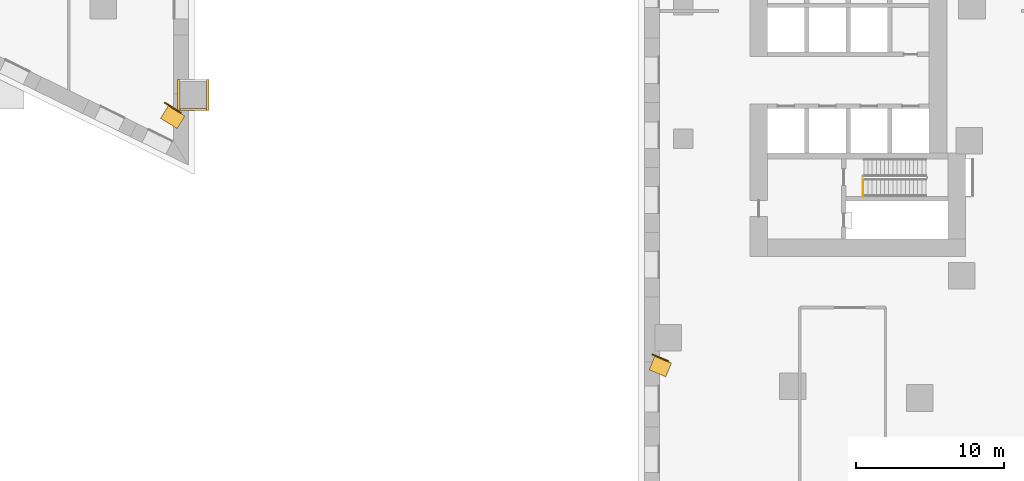
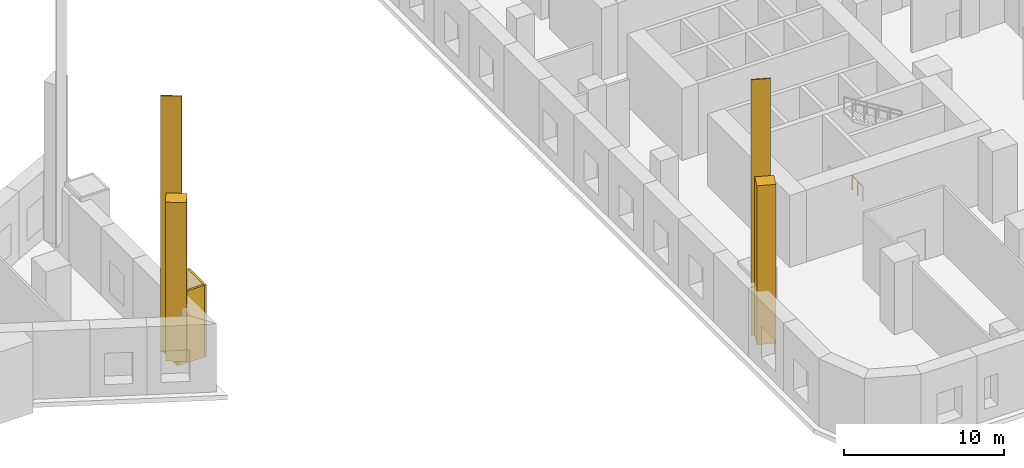
# One storey, part 7 of 12: 7 coverings, 1 railing.
"""IFC4 building model written with IfcOpenShell, lengths in metres."""

from ifc_helpers import new_model, si_unit, direction, frame, frame_2d, origin, origin_2d, place, context, subcontext, project, spatial, rectangle, circle, extrude, material, layer, layer_set, type_object, element, save


model = new_model("IFC4")

# Units and contexts
model_context = context("Model", 3, precision=1e-05, world=origin(), true_north=direction((0.0, 1.0)))
body_context = subcontext(model_context, "Body", "Model", "MODEL_VIEW")
ifc_project = project(units=[si_unit("LENGTHUNIT", "METRE"), si_unit("AREAUNIT", "SQUARE_METRE"), si_unit("VOLUMEUNIT", "CUBIC_METRE"), si_unit("PLANEANGLEUNIT", "RADIAN"), si_unit("MASSUNIT", "GRAM", prefix="KILO")], contexts=[model_context])

# Site, building, storey
site_placement = place(None, origin())
site = spatial("IfcSite", under=ifc_project, at=site_placement, CompositionType="ELEMENT")
building_placement = place(site_placement, origin())
building = spatial("IfcBuilding", under=site, at=building_placement, Name="Ostrand Prow Hotel Tower", CompositionType="ELEMENT")
storey_placement = place(building_placement, frame((0.0, 0.0, 8.0)))
storey = spatial("IfcBuildingStorey", under=building, at=storey_placement, Name="L01", CompositionType="ELEMENT", Elevation=8.0)

# Coverings
ifc_material_1 = material(Name="Dark bronze anodised aluminium lining", Category="aluminium")
ifc_layer_1 = layer(ifc_material_1, 0.080078125)
ifc_layer_set_1 = layer_set([ifc_layer_1], Name="Dark bronze anodised aluminium lining")
covering_type_1 = type_object("IfcCoveringType", Name="Arch spandrel limestone cladding 80 mm", PredefinedType="CLADDING", material=ifc_layer_set_1)
covering_1_placement = place(storey_placement, frame((9.980224609375, -6.552978515625, 1.104248046875), z_axis=(0.0, 0.0, 1.0), x_axis=(0.849694340291, -0.527275571288, 0.0)))
element("IfcCovering", 1, at=covering_1_placement, inside=storey, type_object=covering_type_1, Name="Arch spandrel cladding S 2", PredefinedType="CLADDING", context=body_context, shape_type="SweptSolid", body=[
    extrude(rectangle(XDim=1.32275390625, YDim=0.080078125, at=frame_2d((0.661376953125, 0.0))), origin(), (0.0, 0.0, 1.0), 19.595703125),
])
covering_2_placement = place(storey_placement, frame((42.895751953125, -23.551025390625, 1.104248046875), z_axis=(0.0, 0.0, 1.0), x_axis=(0.923882316545, -0.382676711045, 0.0)))
element("IfcCovering", 2, at=covering_2_placement, inside=storey, type_object=covering_type_1, Name="Arch spandrel cladding S 14", PredefinedType="CLADDING", context=body_context, shape_type="SweptSolid", body=[
    extrude(rectangle(XDim=1.216552734375, YDim=0.080078125, at=frame_2d((0.6083984375, 0.0))), origin(), (0.0, 0.0, 1.0), 19.595703125),
])
ifc_material_2 = material(Name="Limestone cladding", Category="masonry")
ifc_layer_2 = layer(ifc_material_2, 0.14990234375)
ifc_layer_set_2 = layer_set([ifc_layer_2], Name="Limestone cladding")
covering_type_2 = type_object("IfcCoveringType", Name="Column stone sleeve 150 mm", PredefinedType="CLADDING", material=ifc_layer_set_2)
covering_3_placement = place(storey_placement, frame((10.87646484375, -7.01708984375, 0.0), z_axis=(0.0, 0.0, 1.0), x_axis=(1.0, 0.0, 0.0)))
element("IfcCovering", 3, at=covering_3_placement, inside=storey, type_object=covering_type_2, Name="Column stone sleeve MC-S1 1", PredefinedType="CLADDING", context=body_context, shape_type="SweptSolid", body=[
    extrude(rectangle(XDim=2.099853515625, YDim=0.14990234375, at=frame_2d((1.0498046875, 0.0))), origin(), (0.0, 0.0, 1.0), 5.5),
])
for number, where, z_axis, x_axis, name in (
    (4, (12.9013671875, -7.092041015625, 0.0), (0.0, 0.0, 1.0), (0.0, 1.0, 0.0), "Column stone sleeve MC-S1 2"),
    (5, (10.951416015625, -4.991943359375, 0.0), (0.0, 0.0, 1.0), (0.0, -1.0, 0.0), "Column stone sleeve MC-S1 4"),
):
    element("IfcCovering", number, at=place(storey_placement, frame(where, z_axis=z_axis, x_axis=x_axis)), inside=storey, type_object=covering_type_2, Name=name, PredefinedType="CLADDING", context=body_context, shape_type="SweptSolid", body=[
        extrude(rectangle(XDim=2.10009765625, YDim=0.14990234375, at=frame_2d((1.050048828125, 0.0))), origin(), (0.0, 0.0, 1.0), 5.5),
    ])
ifc_material_3 = material(Name="Limestone cladding", Category="masonry")
ifc_layer_3 = layer(ifc_material_3, 1.0)
ifc_layer_set_3 = layer_set([ifc_layer_3], Name="Limestone cladding")
covering_type_3 = type_object("IfcCoveringType", Name="Portal frame limestone 1000 mm", PredefinedType="CLADDING", material=ifc_layer_set_3)
covering_4_placement = place(storey_placement, frame((9.980224609375, -7.189453125, 1.10400390625), z_axis=(0.0, 0.0, 1.0), x_axis=(0.850520949904, -0.5259411695, 0.0)))
element("IfcCovering", 6, at=covering_4_placement, inside=storey, type_object=covering_type_3, Name="Portal frame S 2", PredefinedType="CLADDING", context=body_context, shape_type="SweptSolid", body=[
    extrude(rectangle(XDim=1.321533203125, YDim=1.0, at=frame_2d((0.66064453125, 0.0))), origin(), (0.0, 0.0, 1.0), 12.16357421875),
])
covering_5_placement = place(storey_placement, frame((42.895751953125, -24.135986328125, 1.10400390625), z_axis=(0.0, 0.0, 1.0), x_axis=(0.924307618455, -0.38164830206, 0.0)))
element("IfcCovering", 7, at=covering_5_placement, inside=storey, type_object=covering_type_3, Name="Portal frame S 14", PredefinedType="CLADDING", context=body_context, shape_type="SweptSolid", body=[
    extrude(rectangle(XDim=1.216064453125, YDim=1.0, at=frame_2d((0.60791015625, 0.0))), origin(), (0.0, 0.0, 1.0), 12.16357421875),
])

# Railing
ifc_material_4 = material(Name="Painted steel", Category="steel")
railing_type = type_object("IfcRailingType", Name="Stair guard 1100", PredefinedType="GUARDRAIL", material=ifc_material_4)
railing_placement = place(storey_placement, frame((57.14990234375, -12.89990234375, 0.0)))
element("IfcRailing", 8, at=railing_placement, inside=storey, type_object=railing_type, Name="L01 ST2A top well guard 1", PredefinedType="GUARDRAIL", context=body_context, shape_type="SweptSolid", body=[
    extrude(circle(Radius=0.02392578125, at=origin_2d()), frame((0.0, 0.0, 1.076171875), z_axis=(0.0, 1.0, 0.0), x_axis=(-1.0, 0.0, 0.0)), (0.0, 0.0, 1.0), 1.349853515625),
    extrude(circle(Radius=0.02099609375, at=origin_2d()), origin(), (0.0, 0.0, 1.0), 1.052001953125),
    extrude(circle(Radius=0.02099609375, at=origin_2d()), frame((0.0, 0.6748046875, 0.0)), (0.0, 0.0, 1.0), 1.052001953125),
    extrude(circle(Radius=0.02099609375, at=origin_2d()), frame((0.0, 1.349853515625, 0.0)), (0.0, 0.0, 1.0), 1.052001953125),
])

save(model, "model.ifc")
